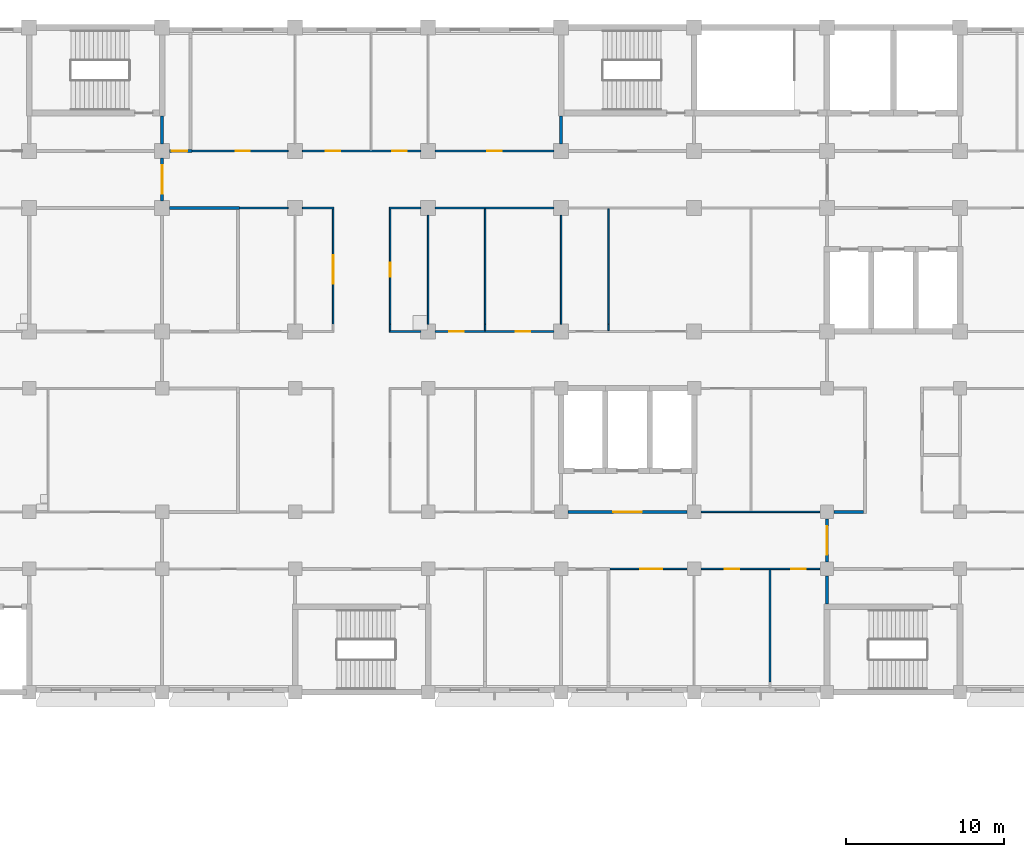
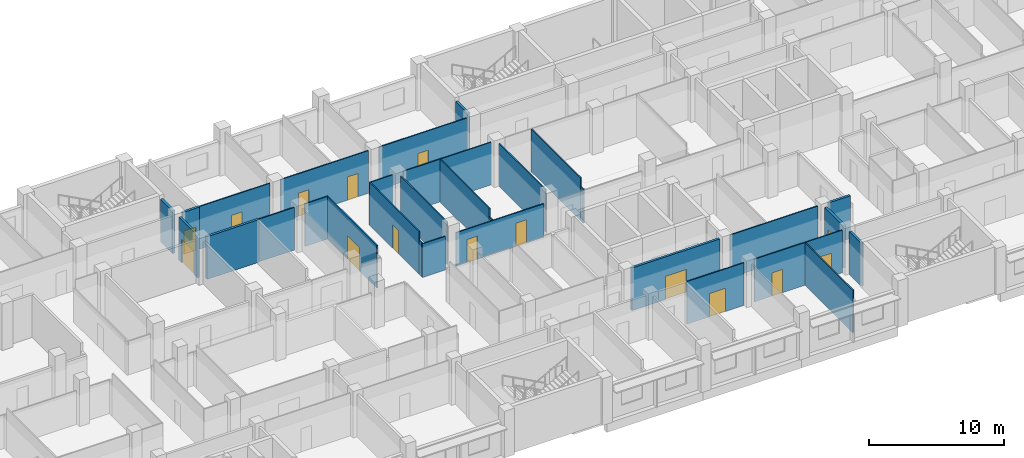
# One storey, part 64 of 109: 31 walls, 15 doors, 15 openings.
"""IFC4 building model written with IfcOpenShell, lengths in metres."""

from ifc_helpers import new_model, si_unit, direction, frame, frame_2d, origin, place, context, subcontext, project, spatial, rectangle, extrude, material, layer, layer_set, type_object, element, fill, save


model = new_model("IFC4")

# Units and contexts
model_context = context("Model", 3, precision=1e-05, world=origin(), true_north=direction((0.0, 1.0)))
body_context = subcontext(model_context, "Body", "Model", "MODEL_VIEW")
ifc_project = project(units=[si_unit("LENGTHUNIT", "METRE"), si_unit("AREAUNIT", "SQUARE_METRE"), si_unit("VOLUMEUNIT", "CUBIC_METRE"), si_unit("PLANEANGLEUNIT", "RADIAN"), si_unit("MASSUNIT", "GRAM", prefix="KILO")], contexts=[model_context])

# Site, building, storey
site_placement = place(None, origin())
site = spatial("IfcSite", under=ifc_project, at=site_placement, CompositionType="ELEMENT")
building_placement = place(site_placement, origin())
building = spatial("IfcBuilding", under=site, at=building_placement, Name="Bougainvillea Quay General Hospital", CompositionType="ELEMENT")
storey_placement = place(building_placement, frame((0.0, 0.0, 12.60009765625)))
storey = spatial("IfcBuildingStorey", under=building, at=storey_placement, Name="L02", CompositionType="ELEMENT", Elevation=12.60009765625)

# Wall, openings, doors
ifc_material_1 = material(Name="Gypsum board partition on steel studs", Category="steel")
ifc_layer_1 = layer(ifc_material_1, 0.10009765625)
ifc_layer_set_1 = layer_set([ifc_layer_1], Name="Gypsum board partition on steel studs")
wall_type_1 = type_object("IfcWallType", Name="Partition 100 Gypsum board partition", PredefinedType="PARTITIONING", material=ifc_layer_set_1)
wall_1_placement = place(storey_placement, frame((133.949951171875, 140.39990234375, 0.0), z_axis=(0.0, 0.0, 1.0), x_axis=(-1.0, 0.0, 0.0)))
wall_1 = element("IfcWall", 1, at=wall_1_placement, inside=storey, type_object=wall_type_1, Name="Partition 100 mm", PredefinedType="PARTITIONING", context=body_context, shape_type="SweptSolid", body=[
    extrude(rectangle(XDim=7.5, YDim=0.10009765625, at=frame_2d((3.75, 0.0))), origin(), (0.0, 0.0, 1.0), 3.02978515625),
])
opening_1_placement = place(wall_1_placement, frame((5.699951171875, 0.0, 0.0)))
opening_1 = element("IfcOpeningElement", 2, at=opening_1_placement, cuts=wall_1, Name="Opening L02.155", PredefinedType="OPENING", context=body_context, shape_type="SweptSolid", body=[
    extrude(rectangle(XDim=0.89990234375, YDim=2.10009765625, at=frame_2d((0.449951171875, 1.050048828125))), frame((0.0, 0.06005859375, 0.0), z_axis=(0.0, -1.0, 0.0), x_axis=(1.0, 0.0, 0.0)), (0.0, 0.0, 1.0), 0.1201171875),
])
opening_2_placement = place(wall_1_placement, frame((1.5, 0.0, 0.0)))
opening_2 = element("IfcOpeningElement", 3, at=opening_2_placement, cuts=wall_1, Name="Opening L02.156", PredefinedType="OPENING", context=body_context, shape_type="SweptSolid", body=[
    extrude(rectangle(XDim=0.89990234375, YDim=2.10009765625, at=frame_2d((0.449951171875, 1.050048828125))), frame((0.0, 0.06005859375, 0.0), z_axis=(0.0, -1.0, 0.0), x_axis=(1.0, 0.0, 0.0)), (0.0, 0.0, 1.0), 0.1201171875),
])
ifc_material_2 = material(Name="Solid-core timber door leaf in steel frame", Category="steel")
door_type_1 = type_object("IfcDoorType", Name="Single leaf door 900x2100", OperationType="NOTDEFINED", PredefinedType="DOOR", material=ifc_material_2)
door_1_placement = place(opening_1_placement, frame((0.89990234375, 0.0, 0.0), z_axis=(0.0, 0.0, 1.0), x_axis=(-1.0, 0.0, 0.0)))
door_1 = element("IfcDoor", 4, at=door_1_placement, inside=storey, type_object=door_type_1, Name="DT07 L02.155", OperationType="SINGLE_SWING_LEFT", OverallHeight=2.10009765625, OverallWidth=0.89990234375, PredefinedType="DOOR", context=body_context, shape_type="SweptSolid", body=[
    extrude(rectangle(XDim=0.89990234375, YDim=2.10009765625, at=frame_2d((0.449951171875, 1.050048828125))), frame((0.0, 0.02490234375, 0.0), z_axis=(0.0, -1.0, 0.0), x_axis=(1.0, 0.0, 0.0)), (0.0, 0.0, 1.0), 0.050048828125),
])
fill(opening_1, door_1)
door_2_placement = place(opening_2_placement, frame((0.89990234375, 0.0, 0.0), z_axis=(0.0, 0.0, 1.0), x_axis=(-1.0, 0.0, 0.0)))
door_2 = element("IfcDoor", 5, at=door_2_placement, inside=storey, type_object=door_type_1, Name="DT07 L02.156", OperationType="SINGLE_SWING_RIGHT", OverallHeight=2.10009765625, OverallWidth=0.89990234375, PredefinedType="DOOR", context=body_context, shape_type="SweptSolid", body=[
    extrude(rectangle(XDim=0.89990234375, YDim=2.10009765625, at=frame_2d((0.449951171875, 1.050048828125))), frame((0.0, 0.02490234375, 0.0), z_axis=(0.0, -1.0, 0.0), x_axis=(1.0, 0.0, 0.0)), (0.0, 0.0, 1.0), 0.050048828125),
])
fill(opening_2, door_2)

# Walls
wall_2_placement = place(storey_placement, frame((125.550048828125, 140.39990234375, 0.0), z_axis=(0.0, 0.0, 1.0), x_axis=(-1.0, 0.0, 0.0)))
element("IfcWall", 6, at=wall_2_placement, inside=storey, type_object=wall_type_1, Name="Partition 100 mm", PredefinedType="PARTITIONING", context=body_context, shape_type="SweptSolid", body=[
    extrude(rectangle(XDim=2.0, YDim=0.10009765625, at=frame_2d((1.0, 0.0))), origin(), (0.0, 0.0, 1.0), 3.02978515625),
])
wall_3_placement = place(storey_placement, frame((133.949951171875, 148.199951171875, 0.0), z_axis=(0.0, 0.0, 1.0), x_axis=(-1.0, 0.0, 0.0)))
element("IfcWall", 7, at=wall_3_placement, inside=storey, type_object=wall_type_1, Name="Partition 100 mm", PredefinedType="PARTITIONING", context=body_context, shape_type="SweptSolid", body=[
    extrude(rectangle(XDim=7.5, YDim=0.10009765625, at=frame_2d((3.75, 0.0))), origin(), (0.0, 0.0, 1.0), 3.849853515625),
])
wall_4_placement = place(storey_placement, frame((125.550048828125, 148.199951171875, 0.0), z_axis=(0.0, 0.0, 1.0), x_axis=(-1.0, 0.0, 0.0)))
element("IfcWall", 8, at=wall_4_placement, inside=storey, type_object=wall_type_1, Name="Partition 100 mm", PredefinedType="PARTITIONING", context=body_context, shape_type="SweptSolid", body=[
    extrude(rectangle(XDim=2.0, YDim=0.10009765625, at=frame_2d((1.0, 0.0))), origin(), (0.0, 0.0, 1.0), 3.849853515625),
])

# Wall, opening, door
wall_5_placement = place(storey_placement, frame((133.949951171875, 151.800048828125, 0.0), z_axis=(0.0, 0.0, 1.0), x_axis=(-1.0, 0.0, 0.0)))
wall_5 = element("IfcWall", 9, at=wall_5_placement, inside=storey, type_object=wall_type_1, Name="Partition 100 mm", PredefinedType="PARTITIONING", context=body_context, shape_type="SweptSolid", body=[
    extrude(rectangle(XDim=7.5, YDim=0.10009765625, at=frame_2d((3.75, 0.0))), origin(), (0.0, 0.0, 1.0), 3.849853515625),
])
opening_3_placement = place(wall_5_placement, frame((3.300048828125, 0.0, 0.0)))
opening_3 = element("IfcOpeningElement", 10, at=opening_3_placement, cuts=wall_5, Name="Opening L02.153", PredefinedType="OPENING", context=body_context, shape_type="SweptSolid", body=[
    extrude(rectangle(XDim=0.89990234375, YDim=2.10009765625, at=frame_2d((0.449951171875, 1.050048828125))), frame((0.0, 0.06005859375, 0.0), z_axis=(0.0, -1.0, 0.0), x_axis=(1.0, 0.0, 0.0)), (0.0, 0.0, 1.0), 0.1201171875),
])
door_3_placement = place(opening_3_placement, frame((0.89990234375, 0.0, 0.0), z_axis=(0.0, 0.0, 1.0), x_axis=(-1.0, 0.0, 0.0)))
door_3 = element("IfcDoor", 11, at=door_3_placement, inside=storey, type_object=door_type_1, Name="DT07 L02.153", OperationType="SINGLE_SWING_LEFT", OverallHeight=2.10009765625, OverallWidth=0.89990234375, PredefinedType="DOOR", context=body_context, shape_type="SweptSolid", body=[
    extrude(rectangle(XDim=0.89990234375, YDim=2.10009765625, at=frame_2d((0.449951171875, 1.050048828125))), frame((0.0, 0.02490234375, 0.0), z_axis=(0.0, -1.0, 0.0), x_axis=(1.0, 0.0, 0.0)), (0.0, 0.0, 1.0), 0.050048828125),
])
fill(opening_3, door_3)

# Wall, openings, doors
wall_6_placement = place(storey_placement, frame((125.550048828125, 151.800048828125, 0.0), z_axis=(0.0, 0.0, 1.0), x_axis=(-1.0, 0.0, 0.0)))
wall_6 = element("IfcWall", 12, at=wall_6_placement, inside=storey, type_object=wall_type_1, Name="Partition 100 mm", PredefinedType="PARTITIONING", context=body_context, shape_type="SweptSolid", body=[
    extrude(rectangle(XDim=7.5, YDim=0.10009765625, at=frame_2d((3.75, 0.0))), origin(), (0.0, 0.0, 1.0), 3.849853515625),
])
opening_4_placement = place(wall_6_placement, frame((5.10009765625, 0.0, 0.0)))
opening_4 = element("IfcOpeningElement", 13, at=opening_4_placement, cuts=wall_6, Name="Opening L02.151", PredefinedType="OPENING", context=body_context, shape_type="SweptSolid", body=[
    extrude(rectangle(XDim=0.89990234375, YDim=2.10009765625, at=frame_2d((0.449951171875, 1.050048828125))), frame((0.0, 0.06005859375, 0.0), z_axis=(0.0, -1.0, 0.0), x_axis=(1.0, 0.0, 0.0)), (0.0, 0.0, 1.0), 0.1201171875),
])
opening_5_placement = place(wall_6_placement, frame((0.89990234375, 0.0, 0.0)))
opening_5 = element("IfcOpeningElement", 14, at=opening_5_placement, cuts=wall_6, Name="Opening L02.152", PredefinedType="OPENING", context=body_context, shape_type="SweptSolid", body=[
    extrude(rectangle(XDim=0.89990234375, YDim=2.10009765625, at=frame_2d((0.449951171875, 1.050048828125))), frame((0.0, 0.06005859375, 0.0), z_axis=(0.0, -1.0, 0.0), x_axis=(1.0, 0.0, 0.0)), (0.0, 0.0, 1.0), 0.1201171875),
])
door_4_placement = place(opening_4_placement, frame((0.89990234375, 0.0, 0.0), z_axis=(0.0, 0.0, 1.0), x_axis=(-1.0, 0.0, 0.0)))
door_4 = element("IfcDoor", 15, at=door_4_placement, inside=storey, type_object=door_type_1, Name="DT07 L02.151", OperationType="SINGLE_SWING_LEFT", OverallHeight=2.10009765625, OverallWidth=0.89990234375, PredefinedType="DOOR", context=body_context, shape_type="SweptSolid", body=[
    extrude(rectangle(XDim=0.89990234375, YDim=2.10009765625, at=frame_2d((0.449951171875, 1.050048828125))), frame((0.0, 0.02490234375, 0.0), z_axis=(0.0, -1.0, 0.0), x_axis=(1.0, 0.0, 0.0)), (0.0, 0.0, 1.0), 0.050048828125),
])
fill(opening_4, door_4)
door_5_placement = place(opening_5_placement, frame((0.89990234375, 0.0, 0.0), z_axis=(0.0, 0.0, 1.0), x_axis=(-1.0, 0.0, 0.0)))
door_5 = element("IfcDoor", 16, at=door_5_placement, inside=storey, type_object=door_type_1, Name="DT07 L02.152", OperationType="SINGLE_SWING_RIGHT", OverallHeight=2.10009765625, OverallWidth=0.89990234375, PredefinedType="DOOR", context=body_context, shape_type="SweptSolid", body=[
    extrude(rectangle(XDim=0.89990234375, YDim=2.10009765625, at=frame_2d((0.449951171875, 1.050048828125))), frame((0.0, 0.02490234375, 0.0), z_axis=(0.0, -1.0, 0.0), x_axis=(1.0, 0.0, 0.0)), (0.0, 0.0, 1.0), 0.050048828125),
])
fill(opening_5, door_5)

# Wall, opening, door
wall_7_placement = place(storey_placement, frame((117.14990234375, 151.800048828125, 0.0), z_axis=(0.0, 0.0, 1.0), x_axis=(-1.0, 0.0, 0.0)))
wall_7 = element("IfcWall", 17, at=wall_7_placement, inside=storey, type_object=wall_type_1, Name="Partition 100 mm", PredefinedType="PARTITIONING", context=body_context, shape_type="SweptSolid", body=[
    extrude(rectangle(XDim=6.052001953125, YDim=0.10009765625, at=frame_2d((3.02587890625, 0.0))), origin(), (0.0, 0.0, 1.0), 3.849853515625),
])
opening_6_placement = place(wall_7_placement, frame((2.40087890625, 0.0, 0.0)))
opening_6 = element("IfcOpeningElement", 18, at=opening_6_placement, cuts=wall_7, Name="Opening L02.145", PredefinedType="OPENING", context=body_context, shape_type="SweptSolid", body=[
    extrude(rectangle(XDim=0.89990234375, YDim=2.10009765625, at=frame_2d((0.449951171875, 1.050048828125))), frame((0.0, 0.06005859375, 0.0), z_axis=(0.0, -1.0, 0.0), x_axis=(1.0, 0.0, 0.0)), (0.0, 0.0, 1.0), 0.1201171875),
])
door_6_placement = place(opening_6_placement, frame((0.89990234375, 0.0, 0.0), z_axis=(0.0, 0.0, 1.0), x_axis=(-1.0, 0.0, 0.0)))
door_6 = element("IfcDoor", 19, at=door_6_placement, inside=storey, type_object=door_type_1, Name="DT07 L02.145", OperationType="SINGLE_SWING_RIGHT", OverallHeight=2.10009765625, OverallWidth=0.89990234375, PredefinedType="DOOR", context=body_context, shape_type="SweptSolid", body=[
    extrude(rectangle(XDim=0.89990234375, YDim=2.10009765625, at=frame_2d((0.449951171875, 1.050048828125))), frame((0.0, 0.02490234375, 0.0), z_axis=(0.0, -1.0, 0.0), x_axis=(1.0, 0.0, 0.0)), (0.0, 0.0, 1.0), 0.050048828125),
])
fill(opening_6, door_6)

# Wall, openings, doors
wall_8_placement = place(storey_placement, frame((150.75, 125.39990234375, 0.0), z_axis=(0.0, 0.0, 1.0), x_axis=(-1.0, 0.0, 0.0)))
wall_8 = element("IfcWall", 20, at=wall_8_placement, inside=storey, type_object=wall_type_1, Name="Partition 100 mm", PredefinedType="PARTITIONING", context=body_context, shape_type="SweptSolid", body=[
    extrude(rectangle(XDim=7.5, YDim=0.10009765625, at=frame_2d((3.75, 0.0))), origin(), (0.0, 0.0, 1.0), 3.849853515625),
])
opening_7_placement = place(wall_8_placement, frame((5.10009765625, 0.0, 0.0)))
opening_7 = element("IfcOpeningElement", 21, at=opening_7_placement, cuts=wall_8, Name="Opening L02.111", PredefinedType="OPENING", context=body_context, shape_type="SweptSolid", body=[
    extrude(rectangle(XDim=0.89990234375, YDim=2.10009765625, at=frame_2d((0.449951171875, 1.050048828125))), frame((0.0, 0.06005859375, 0.0), z_axis=(0.0, -1.0, 0.0), x_axis=(1.0, 0.0, 0.0)), (0.0, 0.0, 1.0), 0.1201171875),
])
opening_8_placement = place(wall_8_placement, frame((0.89990234375, 0.0, 0.0)))
opening_8 = element("IfcOpeningElement", 22, at=opening_8_placement, cuts=wall_8, Name="Opening L02.112", PredefinedType="OPENING", context=body_context, shape_type="SweptSolid", body=[
    extrude(rectangle(XDim=0.89990234375, YDim=2.10009765625, at=frame_2d((0.449951171875, 1.050048828125))), frame((0.0, 0.06005859375, 0.0), z_axis=(0.0, -1.0, 0.0), x_axis=(1.0, 0.0, 0.0)), (0.0, 0.0, 1.0), 0.1201171875),
])
door_7_placement = place(opening_7_placement, origin())
door_7 = element("IfcDoor", 23, at=door_7_placement, inside=storey, type_object=door_type_1, Name="DT07 L02.111", OperationType="SINGLE_SWING_RIGHT", OverallHeight=2.10009765625, OverallWidth=0.89990234375, PredefinedType="DOOR", context=body_context, shape_type="SweptSolid", body=[
    extrude(rectangle(XDim=0.89990234375, YDim=2.10009765625, at=frame_2d((0.449951171875, 1.050048828125))), frame((0.0, 0.02490234375, 0.0), z_axis=(0.0, -1.0, 0.0), x_axis=(1.0, 0.0, 0.0)), (0.0, 0.0, 1.0), 0.050048828125),
])
fill(opening_7, door_7)
door_8_placement = place(opening_8_placement, origin())
door_8 = element("IfcDoor", 24, at=door_8_placement, inside=storey, type_object=door_type_1, Name="DT07 L02.112", OperationType="SINGLE_SWING_LEFT", OverallHeight=2.10009765625, OverallWidth=0.89990234375, PredefinedType="DOOR", context=body_context, shape_type="SweptSolid", body=[
    extrude(rectangle(XDim=0.89990234375, YDim=2.10009765625, at=frame_2d((0.449951171875, 1.050048828125))), frame((0.0, 0.02490234375, 0.0), z_axis=(0.0, -1.0, 0.0), x_axis=(1.0, 0.0, 0.0)), (0.0, 0.0, 1.0), 0.050048828125),
])
fill(opening_8, door_8)

# Wall, opening, door
wall_9_placement = place(storey_placement, frame((142.35009765625, 125.39990234375, 0.0), z_axis=(0.0, 0.0, 1.0), x_axis=(-1.0, 0.0, 0.0)))
wall_9 = element("IfcWall", 25, at=wall_9_placement, inside=storey, type_object=wall_type_1, Name="Partition 100 mm", PredefinedType="PARTITIONING", context=body_context, shape_type="SweptSolid", body=[
    extrude(rectangle(XDim=4.85009765625, YDim=0.10009765625, at=frame_2d((2.425048828125, 0.0))), origin(), (0.0, 0.0, 1.0), 3.849853515625),
])
opening_9_placement = place(wall_9_placement, frame((1.550048828125, 0.0, 0.0)))
opening_9 = element("IfcOpeningElement", 26, at=opening_9_placement, cuts=wall_9, Name="Opening L02.110", PredefinedType="OPENING", context=body_context, shape_type="SweptSolid", body=[
    extrude(rectangle(XDim=1.39990234375, YDim=2.10009765625, at=frame_2d((0.699951171875, 1.050048828125))), frame((0.0, 0.06005859375, 0.0), z_axis=(0.0, -1.0, 0.0), x_axis=(1.0, 0.0, 0.0)), (0.0, 0.0, 1.0), 0.1201171875),
])
ifc_material_3 = material(Name="Solid-core timber door leaves in steel frame", Category="steel")
door_type_2 = type_object("IfcDoorType", Name="Bed door pair 1400x2100", OperationType="DOUBLE_DOOR_SINGLE_SWING", PredefinedType="DOOR", material=ifc_material_3)
door_9_placement = place(opening_9_placement, origin())
door_9 = element("IfcDoor", 27, at=door_9_placement, inside=storey, type_object=door_type_2, Name="DT09 L02.110", OperationType="DOUBLE_DOOR_SINGLE_SWING", OverallHeight=2.10009765625, OverallWidth=1.39990234375, PredefinedType="DOOR", context=body_context, shape_type="SweptSolid", body=[
    extrude(rectangle(XDim=1.39990234375, YDim=2.10009765625, at=frame_2d((0.699951171875, 1.050048828125))), frame((0.0, 0.02490234375, 0.0), z_axis=(0.0, -1.0, 0.0), x_axis=(1.0, 0.0, 0.0)), (0.0, 0.0, 1.0), 0.050048828125),
])
fill(opening_9, door_9)

# Walls
wall_10_placement = place(storey_placement, frame((143.25, 129.0, 0.0), z_axis=(0.0, 0.0, 1.0), x_axis=(1.0, 0.0, 0.0)))
element("IfcWall", 28, at=wall_10_placement, inside=storey, type_object=wall_type_1, Name="Partition 100 mm", PredefinedType="PARTITIONING", context=body_context, shape_type="SweptSolid", body=[
    extrude(rectangle(XDim=7.5, YDim=0.10009765625, at=frame_2d((3.75, 0.0))), origin(), (0.0, 0.0, 1.0), 3.849853515625),
])
wall_11_placement = place(storey_placement, frame((147.60009765625, 118.25, 0.0), z_axis=(0.0, 0.0, 1.0), x_axis=(0.0, 1.0, 0.0)))
element("IfcWall", 29, at=wall_11_placement, inside=storey, type_object=wall_type_1, Name="Partition 100 mm", PredefinedType="PARTITIONING", context=body_context, shape_type="SweptSolid", body=[
    extrude(rectangle(XDim=7.10009765625, YDim=0.10009765625, at=frame_2d((3.550048828125, 0.0))), origin(), (0.0, 0.0, 1.0), 3.849853515625),
])
wall_12_placement = place(storey_placement, frame((114.10009765625, 148.199951171875, 0.0), z_axis=(0.0, 0.0, 1.0), x_axis=(1.0, 0.0, 0.0)))
element("IfcWall", 30, at=wall_12_placement, inside=storey, type_object=wall_type_1, Name="Partition 100 mm", PredefinedType="PARTITIONING", context=body_context, shape_type="SweptSolid", body=[
    extrude(rectangle(XDim=3.0498046875, YDim=0.10009765625, at=frame_2d((1.52490234375, 0.0))), origin(), (0.0, 0.0, 1.0), 3.849853515625),
])
wall_13_placement = place(storey_placement, frame((118.050048828125, 148.199951171875, 0.0), z_axis=(0.0, 0.0, 1.0), x_axis=(1.0, 0.0, 0.0)))
element("IfcWall", 31, at=wall_13_placement, inside=storey, type_object=wall_type_1, Name="Partition 100 mm", PredefinedType="PARTITIONING", context=body_context, shape_type="SweptSolid", body=[
    extrude(rectangle(XDim=2.0, YDim=0.10009765625, at=frame_2d((1.0, 0.0))), origin(), (0.0, 0.0, 1.0), 3.849853515625),
])

# Wall, opening, door
wall_14_placement = place(storey_placement, frame((120.0, 140.85009765625, 0.0), z_axis=(0.0, 0.0, 1.0), x_axis=(0.0, 1.0, 0.0)))
wall_14 = element("IfcWall", 32, at=wall_14_placement, inside=storey, type_object=wall_type_1, Name="Partition 100 mm", PredefinedType="PARTITIONING", context=body_context, shape_type="SweptSolid", body=[
    extrude(rectangle(XDim=7.2998046875, YDim=0.10009765625, at=frame_2d((3.64990234375, 0.0))), origin(), (0.0, 0.0, 1.0), 3.849853515625),
])
opening_10_placement = place(wall_14_placement, frame((2.550048828125, 0.0, 0.0)))
opening_10 = element("IfcOpeningElement", 33, at=opening_10_placement, cuts=wall_14, Name="Opening L02.150", PredefinedType="OPENING", context=body_context, shape_type="SweptSolid", body=[
    extrude(rectangle(XDim=1.800048828125, YDim=2.10009765625, at=frame_2d((0.89990234375, 1.050048828125))), frame((0.0, 0.06005859375, 0.0), z_axis=(0.0, -1.0, 0.0), x_axis=(1.0, 0.0, 0.0)), (0.0, 0.0, 1.0), 0.1201171875),
])
door_type_3 = type_object("IfcDoorType", Name="Double leaf door 1800x2100", OperationType="DOUBLE_DOOR_SINGLE_SWING", PredefinedType="DOOR", material=ifc_material_3)
door_10_placement = place(opening_10_placement, origin())
door_10 = element("IfcDoor", 34, at=door_10_placement, inside=storey, type_object=door_type_3, Name="DT08 L02.150", OperationType="DOUBLE_DOOR_SINGLE_SWING", OverallHeight=2.10009765625, OverallWidth=1.800048828125, PredefinedType="DOOR", context=body_context, shape_type="SweptSolid", body=[
    extrude(rectangle(XDim=1.800048828125, YDim=2.10009765625, at=frame_2d((0.89990234375, 1.050048828125))), frame((0.0, 0.02490234375, 0.0), z_axis=(0.0, -1.0, 0.0), x_axis=(1.0, 0.0, 0.0)), (0.0, 0.0, 1.0), 0.050048828125),
])
fill(opening_10, door_10)

# Wall
wall_15_placement = place(storey_placement, frame((123.60009765625, 140.449951171875, 0.0), z_axis=(0.0, 0.0, 1.0), x_axis=(0.0, 1.0, 0.0)))
element("IfcWall", 35, at=wall_15_placement, inside=storey, type_object=wall_type_1, Name="Partition 100 mm", PredefinedType="PARTITIONING", context=body_context, shape_type="SweptSolid", body=[
    extrude(rectangle(XDim=0.400146484375, YDim=0.10009765625, at=frame_2d((0.2001953125, 0.0))), origin(), (0.0, 0.0, 1.0), 3.079833984375),
])

# Wall, opening, door
wall_16_placement = place(storey_placement, frame((123.60009765625, 140.85009765625, 0.0), z_axis=(0.0, 0.0, 1.0), x_axis=(0.0, 1.0, 0.0)))
wall_16 = element("IfcWall", 36, at=wall_16_placement, inside=storey, type_object=wall_type_1, Name="Partition 100 mm", PredefinedType="PARTITIONING", context=body_context, shape_type="SweptSolid", body=[
    extrude(rectangle(XDim=7.2998046875, YDim=0.10009765625, at=frame_2d((3.64990234375, 0.0))), origin(), (0.0, 0.0, 1.0), 3.849853515625),
])
opening_11_placement = place(wall_16_placement, frame((3.0, 0.0, 0.0)))
opening_11 = element("IfcOpeningElement", 37, at=opening_11_placement, cuts=wall_16, Name="Opening L02.154", PredefinedType="OPENING", context=body_context, shape_type="SweptSolid", body=[
    extrude(rectangle(XDim=0.89990234375, YDim=2.10009765625, at=frame_2d((0.449951171875, 1.050048828125))), frame((0.0, 0.06005859375, 0.0), z_axis=(0.0, -1.0, 0.0), x_axis=(1.0, 0.0, 0.0)), (0.0, 0.0, 1.0), 0.1201171875),
])
door_11_placement = place(opening_11_placement, frame((0.89990234375, 0.0, 0.0), z_axis=(0.0, 0.0, 1.0), x_axis=(-1.0, 0.0, 0.0)))
door_11 = element("IfcDoor", 38, at=door_11_placement, inside=storey, type_object=door_type_1, Name="DT07 L02.154", OperationType="SINGLE_SWING_RIGHT", OverallHeight=2.10009765625, OverallWidth=0.89990234375, PredefinedType="DOOR", context=body_context, shape_type="SweptSolid", body=[
    extrude(rectangle(XDim=0.89990234375, YDim=2.10009765625, at=frame_2d((0.449951171875, 1.050048828125))), frame((0.0, 0.02490234375, 0.0), z_axis=(0.0, -1.0, 0.0), x_axis=(1.0, 0.0, 0.0)), (0.0, 0.0, 1.0), 0.050048828125),
])
fill(opening_11, door_11)

# Walls
wall_17_placement = place(storey_placement, frame((126.0, 140.85009765625, 0.0), z_axis=(0.0, 0.0, 1.0), x_axis=(0.0, 1.0, 0.0)))
element("IfcWall", 39, at=wall_17_placement, inside=storey, type_object=wall_type_1, Name="Partition 100 mm", PredefinedType="PARTITIONING", context=body_context, shape_type="SweptSolid", body=[
    extrude(rectangle(XDim=6.89990234375, YDim=0.10009765625, at=frame_2d((3.449951171875, 0.0))), origin(), (0.0, 0.0, 1.0), 3.849853515625),
])
wall_18_placement = place(storey_placement, frame((129.60009765625, 140.449951171875, 0.0), z_axis=(0.0, 0.0, 1.0), x_axis=(0.0, 1.0, 0.0)))
element("IfcWall", 40, at=wall_18_placement, inside=storey, type_object=wall_type_1, Name="Partition 100 mm", PredefinedType="PARTITIONING", context=body_context, shape_type="SweptSolid", body=[
    extrude(rectangle(XDim=0.400146484375, YDim=0.10009765625, at=frame_2d((0.2001953125, 0.0))), origin(), (0.0, 0.0, 1.0), 3.079833984375),
])
wall_19_placement = place(storey_placement, frame((129.60009765625, 140.85009765625, 0.0), z_axis=(0.0, 0.0, 1.0), x_axis=(0.0, 1.0, 0.0)))
element("IfcWall", 41, at=wall_19_placement, inside=storey, type_object=wall_type_1, Name="Partition 100 mm", PredefinedType="PARTITIONING", context=body_context, shape_type="SweptSolid", body=[
    extrude(rectangle(XDim=7.2998046875, YDim=0.10009765625, at=frame_2d((3.64990234375, 0.0))), origin(), (0.0, 0.0, 1.0), 3.849853515625),
])
wall_20_placement = place(storey_placement, frame((134.39990234375, 140.85009765625, 0.0), z_axis=(0.0, 0.0, 1.0), x_axis=(0.0, 1.0, 0.0)))
element("IfcWall", 42, at=wall_20_placement, inside=storey, type_object=wall_type_1, Name="Partition 100 mm", PredefinedType="PARTITIONING", context=body_context, shape_type="SweptSolid", body=[
    extrude(rectangle(XDim=6.89990234375, YDim=0.10009765625, at=frame_2d((3.449951171875, 0.0))), origin(), (0.0, 0.0, 1.0), 3.849853515625),
])
wall_21_placement = place(storey_placement, frame((137.39990234375, 140.449951171875, 0.0), z_axis=(0.0, 0.0, 1.0), x_axis=(0.0, 1.0, 0.0)))
element("IfcWall", 43, at=wall_21_placement, inside=storey, type_object=wall_type_1, Name="Partition 100 mm", PredefinedType="PARTITIONING", context=body_context, shape_type="SweptSolid", body=[
    extrude(rectangle(XDim=0.400146484375, YDim=0.10009765625, at=frame_2d((0.2001953125, 0.0))), origin(), (0.0, 0.0, 1.0), 3.079833984375),
])
wall_22_placement = place(storey_placement, frame((137.39990234375, 140.85009765625, 0.0), z_axis=(0.0, 0.0, 1.0), x_axis=(0.0, 1.0, 0.0)))
element("IfcWall", 44, at=wall_22_placement, inside=storey, type_object=wall_type_1, Name="Partition 100 mm", PredefinedType="PARTITIONING", context=body_context, shape_type="SweptSolid", body=[
    extrude(rectangle(XDim=7.2998046875, YDim=0.10009765625, at=frame_2d((3.64990234375, 0.0))), origin(), (0.0, 0.0, 1.0), 3.849853515625),
])
ifc_material_4 = material(Name="Fire-rated autoclaved aerated block wall, plastered")
ifc_layer_2 = layer(ifc_material_4, 0.199951171875)
ifc_layer_set_2 = layer_set([ifc_layer_2], Name="Fire-rated autoclaved aerated block wall, plastered")
wall_type_2 = type_object("IfcWallType", Name="Partition 200 Fire-rated autoclaved aerated block wall EI 120", PredefinedType="SOLIDWALL", material=ifc_layer_set_2)
wall_23_placement = place(storey_placement, frame((109.199951171875, 154.02490234375, 0.0), z_axis=(0.0, 0.0, 1.0), x_axis=(0.0, -1.0, 0.0)))
element("IfcWall", 45, at=wall_23_placement, inside=storey, type_object=wall_type_2, Name="Partition 200 mm EI 120", PredefinedType="SOLIDWALL", context=body_context, shape_type="SweptSolid", body=[
    extrude(rectangle(XDim=1.77490234375, YDim=0.199951171875, at=frame_2d((0.887451171875, 0.0))), origin(), (0.0, 0.0, 1.0), 3.849853515625),
])

# Wall, opening, door
wall_24_placement = place(storey_placement, frame((109.199951171875, 151.35009765625, 0.0), z_axis=(0.0, 0.0, 1.0), x_axis=(0.0, -1.0, 0.0)))
wall_24 = element("IfcWall", 46, at=wall_24_placement, inside=storey, type_object=wall_type_2, Name="Partition 200 mm EI 120", PredefinedType="SOLIDWALL", context=body_context, shape_type="SweptSolid", body=[
    extrude(rectangle(XDim=2.7001953125, YDim=0.199951171875, at=frame_2d((1.35009765625, 0.0))), origin(), (0.0, 0.0, 1.0), 3.849853515625),
])
opening_12_placement = place(wall_24_placement, frame((0.449951171875, 0.0, 0.0)))
opening_12 = element("IfcOpeningElement", 47, at=opening_12_placement, cuts=wall_24, Name="Opening L02.014", PredefinedType="OPENING", context=body_context, shape_type="SweptSolid", body=[
    extrude(rectangle(XDim=1.800048828125, YDim=2.10009765625, at=frame_2d((0.89990234375, 1.050048828125))), frame((0.0, 0.10986328125, 0.0), z_axis=(0.0, -1.0, 0.0), x_axis=(1.0, 0.0, 0.0)), (0.0, 0.0, 1.0), 0.219970703125),
])
ifc_material_5 = material(Name="Steel fire door leaves in steel frame", Category="steel")
door_type_4 = type_object("IfcDoorType", Name="Steel double leaf door 1800x2100 FD90", OperationType="DOUBLE_DOOR_SINGLE_SWING", PredefinedType="DOOR", material=ifc_material_5)
door_12_placement = place(opening_12_placement, frame((1.800048828125, 0.0, 0.0), z_axis=(0.0, 0.0, 1.0), x_axis=(-1.0, 0.0, 0.0)))
door_12 = element("IfcDoor", 48, at=door_12_placement, inside=storey, type_object=door_type_4, Name="DT03 L02.014", OperationType="DOUBLE_DOOR_SINGLE_SWING", OverallHeight=2.10009765625, OverallWidth=1.800048828125, PredefinedType="DOOR", context=body_context, shape_type="SweptSolid", body=[
    extrude(rectangle(XDim=1.800048828125, YDim=2.10009765625, at=frame_2d((0.89990234375, 1.050048828125))), frame((0.0, 0.02490234375, 0.0), z_axis=(0.0, -1.0, 0.0), x_axis=(1.0, 0.0, 0.0)), (0.0, 0.0, 1.0), 0.050048828125),
])
fill(opening_12, door_12)

# Wall
wall_25_placement = place(storey_placement, frame((109.64990234375, 148.199951171875, 0.0), z_axis=(0.0, 0.0, 1.0), x_axis=(1.0, 0.0, 0.0)))
element("IfcWall", 49, at=wall_25_placement, inside=storey, type_object=wall_type_2, Name="Partition 200 mm EI 120", PredefinedType="SOLIDWALL", context=body_context, shape_type="SweptSolid", body=[
    extrude(rectangle(XDim=4.4501953125, YDim=0.199951171875, at=frame_2d((2.22509765625, 0.0))), origin(), (0.0, 0.0, 1.0), 3.849853515625),
])

# Wall, opening, door
wall_26_placement = place(storey_placement, frame((109.64990234375, 151.800048828125, 0.0), z_axis=(0.0, 0.0, 1.0), x_axis=(1.0, 0.0, 0.0)))
wall_26 = element("IfcWall", 50, at=wall_26_placement, inside=storey, type_object=wall_type_2, Name="Partition 200 mm EI 120", PredefinedType="SOLIDWALL", context=body_context, shape_type="SweptSolid", body=[
    extrude(rectangle(XDim=1.447998046875, YDim=0.199951171875, at=frame_2d((0.72412109375, 0.0))), origin(), (0.0, 0.0, 1.0), 3.849853515625),
])
opening_13_placement = place(wall_26_placement, frame((0.14892578125, 0.0, 0.0)))
opening_13 = element("IfcOpeningElement", 51, at=opening_13_placement, cuts=wall_26, Name="Opening L02.144", PredefinedType="OPENING", context=body_context, shape_type="SweptSolid", body=[
    extrude(rectangle(XDim=1.0, YDim=2.10009765625, at=frame_2d((0.5, 1.050048828125))), frame((0.0, 0.10986328125, 0.0), z_axis=(0.0, -1.0, 0.0), x_axis=(1.0, 0.0, 0.0)), (0.0, 0.0, 1.0), 0.219970703125),
])
ifc_material_6 = material(Name="Steel fire door leaf in steel frame", Category="steel")
door_type_5 = type_object("IfcDoorType", Name="Steel single leaf door 1000x2100 FD90", OperationType="NOTDEFINED", PredefinedType="DOOR", material=ifc_material_6)
door_13_placement = place(opening_13_placement, origin())
door_13 = element("IfcDoor", 52, at=door_13_placement, inside=storey, type_object=door_type_5, Name="DT11 L02.144", OperationType="SINGLE_SWING_LEFT", OverallHeight=2.10009765625, OverallWidth=1.0, PredefinedType="DOOR", context=body_context, shape_type="SweptSolid", body=[
    extrude(rectangle(XDim=1.0, YDim=2.10009765625, at=frame_2d((0.5, 1.050048828125))), frame((0.0, 0.02490234375, 0.0), z_axis=(0.0, -1.0, 0.0), x_axis=(1.0, 0.0, 0.0)), (0.0, 0.0, 1.0), 0.050048828125),
])
fill(opening_13, door_13)

wall_27_placement = place(storey_placement, frame((134.85009765625, 129.0, 0.0), z_axis=(0.0, 0.0, 1.0), x_axis=(1.0, 0.0, 0.0)))
wall_27 = element("IfcWall", 53, at=wall_27_placement, inside=storey, type_object=wall_type_2, Name="Partition 200 mm EI 120", PredefinedType="SOLIDWALL", context=body_context, shape_type="SweptSolid", body=[
    extrude(rectangle(XDim=7.5, YDim=0.199951171875, at=frame_2d((3.75, 0.0))), origin(), (0.0, 0.0, 1.0), 3.849853515625),
])
opening_14_placement = place(wall_27_placement, frame((2.85009765625, 0.0, 0.0)))
opening_14 = element("IfcOpeningElement", 54, at=opening_14_placement, cuts=wall_27, Name="Opening L02.046", PredefinedType="OPENING", context=body_context, shape_type="SweptSolid", body=[
    extrude(rectangle(XDim=1.800048828125, YDim=2.10009765625, at=frame_2d((0.89990234375, 1.050048828125))), frame((0.0, 0.10986328125, 0.0), z_axis=(0.0, -1.0, 0.0), x_axis=(1.0, 0.0, 0.0)), (0.0, 0.0, 1.0), 0.219970703125),
])
door_type_6 = type_object("IfcDoorType", Name="Steel double leaf door 1800x2100 FD60", OperationType="DOUBLE_DOOR_SINGLE_SWING", PredefinedType="DOOR", material=ifc_material_5)
door_14_placement = place(opening_14_placement, origin())
door_14 = element("IfcDoor", 55, at=door_14_placement, inside=storey, type_object=door_type_6, Name="DT05 L02.046", OperationType="DOUBLE_DOOR_SINGLE_SWING", OverallHeight=2.10009765625, OverallWidth=1.800048828125, PredefinedType="DOOR", context=body_context, shape_type="SweptSolid", body=[
    extrude(rectangle(XDim=1.800048828125, YDim=2.10009765625, at=frame_2d((0.89990234375, 1.050048828125))), frame((0.0, 0.02490234375, 0.0), z_axis=(0.0, -1.0, 0.0), x_axis=(1.0, 0.0, 0.0)), (0.0, 0.0, 1.0), 0.050048828125),
])
fill(opening_14, door_14)

# Wall
wall_28_placement = place(storey_placement, frame((151.199951171875, 123.175048828125, 0.0), z_axis=(0.0, 0.0, 1.0), x_axis=(0.0, 1.0, 0.0)))
element("IfcWall", 56, at=wall_28_placement, inside=storey, type_object=wall_type_2, Name="Partition 200 mm EI 120", PredefinedType="SOLIDWALL", context=body_context, shape_type="SweptSolid", body=[
    extrude(rectangle(XDim=1.77490234375, YDim=0.199951171875, at=frame_2d((0.887451171875, 0.0))), origin(), (0.0, 0.0, 1.0), 3.849853515625),
])

# Wall, opening, door
wall_29_placement = place(storey_placement, frame((151.199951171875, 125.85009765625, 0.0), z_axis=(0.0, 0.0, 1.0), x_axis=(0.0, 1.0, 0.0)))
wall_29 = element("IfcWall", 57, at=wall_29_placement, inside=storey, type_object=wall_type_2, Name="Partition 200 mm EI 120", PredefinedType="SOLIDWALL", context=body_context, shape_type="SweptSolid", body=[
    extrude(rectangle(XDim=2.699951171875, YDim=0.199951171875, at=frame_2d((1.35009765625, 0.0))), origin(), (0.0, 0.0, 1.0), 3.849853515625),
])
opening_15_placement = place(wall_29_placement, frame((0.449951171875, 0.0, 0.0)))
opening_15 = element("IfcOpeningElement", 58, at=opening_15_placement, cuts=wall_29, Name="Opening L02.015", PredefinedType="OPENING", context=body_context, shape_type="SweptSolid", body=[
    extrude(rectangle(XDim=1.800048828125, YDim=2.10009765625, at=frame_2d((0.89990234375, 1.050048828125))), frame((0.0, 0.10986328125, 0.0), z_axis=(0.0, -1.0, 0.0), x_axis=(1.0, 0.0, 0.0)), (0.0, 0.0, 1.0), 0.219970703125),
])
door_15_placement = place(opening_15_placement, origin())
door_15 = element("IfcDoor", 59, at=door_15_placement, inside=storey, type_object=door_type_4, Name="DT03 L02.015", OperationType="DOUBLE_DOOR_SINGLE_SWING", OverallHeight=2.10009765625, OverallWidth=1.800048828125, PredefinedType="DOOR", context=body_context, shape_type="SweptSolid", body=[
    extrude(rectangle(XDim=1.800048828125, YDim=2.10009765625, at=frame_2d((0.89990234375, 1.050048828125))), frame((0.0, 0.02490234375, 0.0), z_axis=(0.0, -1.0, 0.0), x_axis=(1.0, 0.0, 0.0)), (0.0, 0.0, 1.0), 0.050048828125),
])
fill(opening_15, door_15)

# Walls
wall_30_placement = place(storey_placement, frame((151.64990234375, 129.0, 0.0), z_axis=(0.0, 0.0, 1.0), x_axis=(1.0, 0.0, 0.0)))
element("IfcWall", 60, at=wall_30_placement, inside=storey, type_object=wall_type_2, Name="Partition 200 mm EI 120", PredefinedType="SOLIDWALL", context=body_context, shape_type="SweptSolid", body=[
    extrude(rectangle(XDim=1.85009765625, YDim=0.199951171875, at=frame_2d((0.925048828125, 0.0))), origin(), (0.0, 0.0, 1.0), 3.849853515625),
])
wall_31_placement = place(storey_placement, frame((134.39990234375, 152.25, 0.0), z_axis=(0.0, 0.0, 1.0), x_axis=(0.0, 1.0, 0.0)))
element("IfcWall", 61, at=wall_31_placement, inside=storey, type_object=wall_type_2, Name="Partition 200 mm EI 120", PredefinedType="SOLIDWALL", context=body_context, shape_type="SweptSolid", body=[
    extrude(rectangle(XDim=1.77490234375, YDim=0.199951171875, at=frame_2d((0.887451171875, 0.0))), origin(), (0.0, 0.0, 1.0), 3.849853515625),
])

save(model, "model.ifc")
